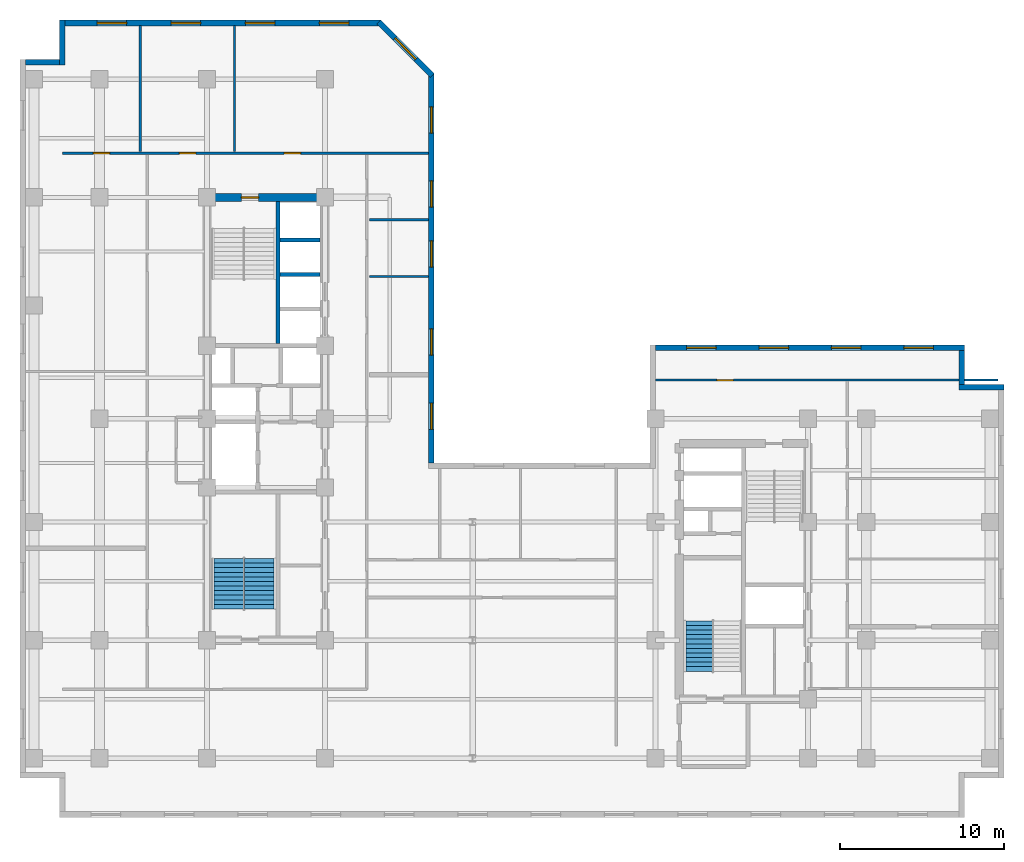
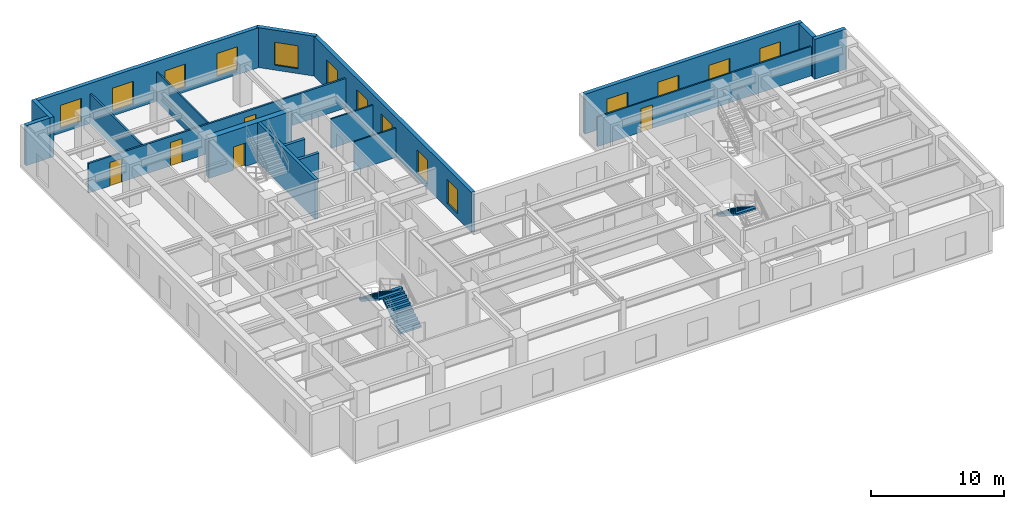
# One storey, part 6 of 10: 18 walls, 14 windows, 5 doors, 3 stair flights, 19 openings, 2 elements without a shape of their own.
"""IFC4 building model written with IfcOpenShell, lengths in metres."""

from ifc_helpers import new_model, entity, si_unit, converted_unit, direction, frame, origin_with_axes, origin_2d_with_axis, place, context, subcontext, project, spatial, polyline, rectangle, outline, extrude, material, layer, layer_set, type_object, element, fill, aggregate, save


model = new_model("IFC4")

# Units and contexts
model_context = context("Model", 3, precision=1e-05, world=origin_with_axes(), true_north=direction((0.0, 1.0)))
body_context = subcontext(model_context, "Body", "Model", "MODEL_VIEW")
ifc_project = project(units=[si_unit("LENGTHUNIT", "METRE"), si_unit("AREAUNIT", "SQUARE_METRE"), si_unit("VOLUMEUNIT", "CUBIC_METRE"), converted_unit("PLANEANGLEUNIT", "DEGREE", entity("IfcPlaneAngleMeasure", 0.017453292519943295), si_unit("PLANEANGLEUNIT", "RADIAN"), dimensions=[0, 0, 0, 0, 0, 0, 0]), si_unit("MASSUNIT", "GRAM", prefix="KILO"), si_unit("THERMODYNAMICTEMPERATUREUNIT", "KELVIN")], contexts=[model_context])

# Site, building, storey
site_placement = place(None, origin_with_axes())
site = spatial("IfcSite", under=ifc_project, at=site_placement, CompositionType="ELEMENT")
building_placement = place(site_placement, origin_with_axes())
building = spatial("IfcBuilding", under=site, at=building_placement, Name="Varnlund Millrace Tower", CompositionType="ELEMENT")
storey_placement = place(building_placement, frame((0.0, 0.0, 175.8), z_axis=(0.0, 0.0, 1.0), x_axis=(1.0, 0.0, 0.0)))
storey = spatial("IfcBuildingStorey", under=building, at=storey_placement, Name="L43", CompositionType="ELEMENT", Elevation=175.8)

# Wall, opening, door
ifc_material_1 = material(Name="Concrete C70/85", Category="concrete")
ifc_layer_1 = layer(ifc_material_1, 0.5, Name="Concrete C70/85")
ifc_layer_set_1 = layer_set([ifc_layer_1], Name="Concrete C70/85")
wall_type_1 = type_object("IfcWallType", Name="Type-CoreWall-Shear-500-C70", PredefinedType="SHEAR", material=ifc_layer_set_1)
wall_1_placement = place(storey_placement, frame((11.4, 37.8, 0.0), z_axis=(0.0, 0.0, 1.0), x_axis=(1.0, 0.0, 0.0)))
wall_1 = element("IfcWall", 1, at=wall_1_placement, inside=storey, type_object=wall_type_1, Name="Type-CoreWall-Shear-500-C70", PredefinedType="SHEAR", context=body_context, shape_type="SweptSolid", body=[
    extrude(outline(polyline([(0.0, -0.25), (7.2, -0.25), (7.2, 0.25), (0.0, 0.25), (0.0, -0.25)])), origin_with_axes(), (0.0, 0.0, 1.0), 3.66),
])
opening_1_placement = place(wall_1_placement, frame((2.625, 0.0, 0.0), z_axis=(0.0, 0.0, 1.0), x_axis=(1.0, 0.0, 0.0)))
opening_1 = element("IfcOpeningElement", 2, at=opening_1_placement, cuts=wall_1, Name="Opening L43:DR-STA2", PredefinedType="OPENING", context=body_context, shape_type="SweptSolid", body=[
    extrude(rectangle(XDim=1.05, YDim=0.52, at=origin_2d_with_axis()), origin_with_axes(), (0.0, 0.0, 1.0), 2.15),
])
ifc_material_2 = material(Name="Fire-rated hollow steel door", Category="steel")
door_type_1 = type_object("IfcDoorType", Name="Type-FireDoor-Stair-1050X2150", OperationType="NOTDEFINED", PredefinedType="DOOR", material=ifc_material_2)
door_1_placement = place(wall_1_placement, frame((2.625, 0.0, 0.0), z_axis=(0.0, 0.0, 1.0), x_axis=(1.0, 0.0, 0.0)))
door_1 = element("IfcDoor", 3, at=door_1_placement, inside=storey, type_object=door_type_1, Name="Type-FireDoor-Stair-1050X2150", OperationType="SINGLE_SWING_RIGHT", OverallHeight=2.15, OverallWidth=1.05, PredefinedType="DOOR", context=body_context, shape_type="SweptSolid", body=[
    extrude(rectangle(XDim=1.05, YDim=0.09, at=origin_2d_with_axis()), origin_with_axes(), (0.0, 0.0, 1.0), 2.15),
])
fill(opening_1, door_1)

# Wall, openings, windows
ifc_material_3 = material(Name="Precast concrete C50/60", Category="concrete")
ifc_layer_2 = layer(ifc_material_3, 0.34, Name="Precast concrete C50/60")
ifc_layer_set_2 = layer_set([ifc_layer_2], Name="Precast concrete C50/60")
wall_type_2 = type_object("IfcWallType", Name="Type-ExtWall-Precast-Upper-340", PredefinedType="SOLIDWALL", material=ifc_layer_set_2)
wall_2_placement = place(storey_placement, frame((38.74, 28.63, 0.0), z_axis=(0.0, 0.0, 1.0), x_axis=(1.0, 0.0, 0.0)))
wall_2 = element("IfcWall", 4, at=wall_2_placement, inside=storey, type_object=wall_type_2, Name="Type-ExtWall-Precast-Upper-340", PredefinedType="SOLIDWALL", context=body_context, shape_type="SweptSolid", body=[
    extrude(outline(polyline([(0.0, -0.17), (18.86, -0.17), (18.86, 0.17), (0.0, 0.17), (0.0, -0.17)])), origin_with_axes(), (0.0, 0.0, 1.0), 3.66),
])
opening_2_placement = place(wall_2_placement, frame((2.808, 0.0, 0.45), z_axis=(0.0, 0.0, 1.0), x_axis=(1.0, 0.0, 0.0)))
opening_2 = element("IfcOpeningElement", 5, at=opening_2_placement, cuts=wall_2, Name="Opening L43:WN-01", PredefinedType="OPENING", context=body_context, shape_type="SweptSolid", body=[
    extrude(rectangle(XDim=1.8, YDim=0.36, at=origin_2d_with_axis()), origin_with_axes(), (0.0, 0.0, 1.0), 2.1),
])
opening_3_placement = place(wall_2_placement, frame((7.222, 0.0, 0.45), z_axis=(0.0, 0.0, 1.0), x_axis=(1.0, 0.0, 0.0)))
opening_3 = element("IfcOpeningElement", 6, at=opening_3_placement, cuts=wall_2, Name="Opening L43:WN-02", PredefinedType="OPENING", context=body_context, shape_type="SweptSolid", body=[
    extrude(rectangle(XDim=1.8, YDim=0.36, at=origin_2d_with_axis()), origin_with_axes(), (0.0, 0.0, 1.0), 2.1),
])
opening_4_placement = place(wall_2_placement, frame((11.637, 0.0, 0.45), z_axis=(0.0, 0.0, 1.0), x_axis=(1.0, 0.0, 0.0)))
opening_4 = element("IfcOpeningElement", 7, at=opening_4_placement, cuts=wall_2, Name="Opening L43:WN-03", PredefinedType="OPENING", context=body_context, shape_type="SweptSolid", body=[
    extrude(rectangle(XDim=1.8, YDim=0.36, at=origin_2d_with_axis()), origin_with_axes(), (0.0, 0.0, 1.0), 2.1),
])
opening_5_placement = place(wall_2_placement, frame((16.053, 0.0, 0.45), z_axis=(0.0, 0.0, 1.0), x_axis=(1.0, 0.0, 0.0)))
opening_5 = element("IfcOpeningElement", 8, at=opening_5_placement, cuts=wall_2, Name="Opening L43:WN-04", PredefinedType="OPENING", context=body_context, shape_type="SweptSolid", body=[
    extrude(rectangle(XDim=1.8, YDim=0.36, at=origin_2d_with_axis()), origin_with_axes(), (0.0, 0.0, 1.0), 2.1),
])
ifc_material_4 = material(Name="Argon low-e triple glazing in thermally broken bronze frame", Category="glass")
window_type_1 = type_object("IfcWindowType", Name="Type-Window-Punched-1800X2100", PartitioningType="SINGLE_PANEL", PredefinedType="WINDOW", material=ifc_material_4)
window_1_placement = place(wall_2_placement, frame((2.808, 0.0, 0.45), z_axis=(0.0, 0.0, 1.0), x_axis=(1.0, 0.0, 0.0)))
window_1 = element("IfcWindow", 9, at=window_1_placement, inside=storey, type_object=window_type_1, Name="Type-Window-Punched-1800X2100", OverallHeight=2.1, OverallWidth=1.8, PredefinedType="WINDOW", context=body_context, shape_type="SweptSolid", body=[
    extrude(rectangle(XDim=1.8, YDim=0.09, at=origin_2d_with_axis()), origin_with_axes(), (0.0, 0.0, 1.0), 2.1),
])
fill(opening_2, window_1)
window_2_placement = place(wall_2_placement, frame((7.222, 0.0, 0.45), z_axis=(0.0, 0.0, 1.0), x_axis=(1.0, 0.0, 0.0)))
window_2 = element("IfcWindow", 10, at=window_2_placement, inside=storey, type_object=window_type_1, Name="Type-Window-Punched-1800X2100", OverallHeight=2.1, OverallWidth=1.8, PredefinedType="WINDOW", context=body_context, shape_type="SweptSolid", body=[
    extrude(rectangle(XDim=1.8, YDim=0.09, at=origin_2d_with_axis()), origin_with_axes(), (0.0, 0.0, 1.0), 2.1),
])
fill(opening_3, window_2)
window_3_placement = place(wall_2_placement, frame((11.637, 0.0, 0.45), z_axis=(0.0, 0.0, 1.0), x_axis=(1.0, 0.0, 0.0)))
window_3 = element("IfcWindow", 11, at=window_3_placement, inside=storey, type_object=window_type_1, Name="Type-Window-Punched-1800X2100", OverallHeight=2.1, OverallWidth=1.8, PredefinedType="WINDOW", context=body_context, shape_type="SweptSolid", body=[
    extrude(rectangle(XDim=1.8, YDim=0.09, at=origin_2d_with_axis()), origin_with_axes(), (0.0, 0.0, 1.0), 2.1),
])
fill(opening_4, window_3)
window_4_placement = place(wall_2_placement, frame((16.053, 0.0, 0.45), z_axis=(0.0, 0.0, 1.0), x_axis=(1.0, 0.0, 0.0)))
window_4 = element("IfcWindow", 12, at=window_4_placement, inside=storey, type_object=window_type_1, Name="Type-Window-Punched-1800X2100", OverallHeight=2.1, OverallWidth=1.8, PredefinedType="WINDOW", context=body_context, shape_type="SweptSolid", body=[
    extrude(rectangle(XDim=1.8, YDim=0.09, at=origin_2d_with_axis()), origin_with_axes(), (0.0, 0.0, 1.0), 2.1),
])
fill(opening_5, window_4)

# Walls
wall_3_placement = place(storey_placement, frame((57.43, 28.46, 0.0), z_axis=(0.0, 0.0, 1.0), x_axis=(0.0, -1.0, 0.0)))
element("IfcWall", 13, at=wall_3_placement, inside=storey, type_object=wall_type_2, Name="Type-ExtWall-Precast-Upper-340", PredefinedType="SOLIDWALL", context=body_context, shape_type="SweptSolid", body=[
    extrude(outline(polyline([(0.0, -0.17), (2.06, -0.17), (2.06, 0.17), (0.0, 0.17), (0.0, -0.17)])), origin_with_axes(), (0.0, 0.0, 1.0), 3.66),
])
wall_4_placement = place(storey_placement, frame((57.26, 26.23, 0.0), z_axis=(0.0, 0.0, 1.0), x_axis=(1.0, 0.0, 0.0)))
element("IfcWall", 14, at=wall_4_placement, inside=storey, type_object=wall_type_2, Name="Type-ExtWall-Precast-Upper-340", PredefinedType="SOLIDWALL", context=body_context, shape_type="SweptSolid", body=[
    extrude(outline(polyline([(0.0, -0.17), (2.74, -0.17), (2.74, 0.17), (0.0, 0.17), (0.0, -0.17)])), origin_with_axes(), (0.0, 0.0, 1.0), 3.66),
])
wall_5_placement = place(storey_placement, frame((0.34, 46.03, 0.0), z_axis=(0.0, 0.0, 1.0), x_axis=(1.0, 0.0, 0.0)))
element("IfcWall", 15, at=wall_5_placement, inside=storey, type_object=wall_type_2, Name="Type-ExtWall-Precast-Upper-340", PredefinedType="SOLIDWALL", context=body_context, shape_type="SweptSolid", body=[
    extrude(outline(polyline([(0.0, -0.17), (2.06, -0.17), (2.06, 0.17), (0.0, 0.17), (0.0, -0.17)])), origin_with_axes(), (0.0, 0.0, 1.0), 3.66),
])
wall_6_placement = place(storey_placement, frame((2.57, 45.86, 0.0), z_axis=(0.0, 0.0, 1.0), x_axis=(0.0, 1.0, 0.0)))
element("IfcWall", 16, at=wall_6_placement, inside=storey, type_object=wall_type_2, Name="Type-ExtWall-Precast-Upper-340", PredefinedType="SOLIDWALL", context=body_context, shape_type="SweptSolid", body=[
    extrude(outline(polyline([(0.0, -0.17), (2.74, -0.17), (2.74, 0.17), (0.0, 0.17), (0.0, -0.17)])), origin_with_axes(), (0.0, 0.0, 1.0), 3.66),
])

# Wall, openings, windows
wall_7_placement = place(storey_placement, frame((2.74, 48.43, 0.0), z_axis=(0.0, 0.0, 1.0), x_axis=(1.0, 0.0, 0.0)))
wall_7 = element("IfcWall", 17, at=wall_7_placement, inside=storey, type_object=wall_type_2, Name="Type-ExtWall-Precast-Upper-340", PredefinedType="SOLIDWALL", context=body_context, shape_type="SweptSolid", body=[
    extrude(outline(polyline([(0.0, -0.17), (19.273, -0.17), (19.273, 0.17), (0.0, 0.17), (0.0, -0.17)])), origin_with_axes(), (0.0, 0.0, 1.0), 3.66),
])
opening_6_placement = place(wall_7_placement, frame((2.859, 0.0, 0.45), z_axis=(0.0, 0.0, 1.0), x_axis=(1.0, 0.0, 0.0)))
opening_6 = element("IfcOpeningElement", 18, at=opening_6_placement, cuts=wall_7, Name="Opening L43:WN-27", PredefinedType="OPENING", context=body_context, shape_type="SweptSolid", body=[
    extrude(rectangle(XDim=1.8, YDim=0.36, at=origin_2d_with_axis()), origin_with_axes(), (0.0, 0.0, 1.0), 2.1),
])
opening_7_placement = place(wall_7_placement, frame((7.377, 0.0, 0.45), z_axis=(0.0, 0.0, 1.0), x_axis=(1.0, 0.0, 0.0)))
opening_7 = element("IfcOpeningElement", 19, at=opening_7_placement, cuts=wall_7, Name="Opening L43:WN-28", PredefinedType="OPENING", context=body_context, shape_type="SweptSolid", body=[
    extrude(rectangle(XDim=1.8, YDim=0.36, at=origin_2d_with_axis()), origin_with_axes(), (0.0, 0.0, 1.0), 2.1),
])
opening_8_placement = place(wall_7_placement, frame((11.896, 0.0, 0.45), z_axis=(0.0, 0.0, 1.0), x_axis=(1.0, 0.0, 0.0)))
opening_8 = element("IfcOpeningElement", 20, at=opening_8_placement, cuts=wall_7, Name="Opening L43:WN-29", PredefinedType="OPENING", context=body_context, shape_type="SweptSolid", body=[
    extrude(rectangle(XDim=1.8, YDim=0.36, at=origin_2d_with_axis()), origin_with_axes(), (0.0, 0.0, 1.0), 2.1),
])
opening_9_placement = place(wall_7_placement, frame((16.414, 0.0, 0.45), z_axis=(0.0, 0.0, 1.0), x_axis=(1.0, 0.0, 0.0)))
opening_9 = element("IfcOpeningElement", 21, at=opening_9_placement, cuts=wall_7, Name="Opening L43:WN-30", PredefinedType="OPENING", context=body_context, shape_type="SweptSolid", body=[
    extrude(rectangle(XDim=1.8, YDim=0.36, at=origin_2d_with_axis()), origin_with_axes(), (0.0, 0.0, 1.0), 2.1),
])
window_5_placement = place(wall_7_placement, frame((2.859, 0.0, 0.45), z_axis=(0.0, 0.0, 1.0), x_axis=(1.0, 0.0, 0.0)))
window_5 = element("IfcWindow", 22, at=window_5_placement, inside=storey, type_object=window_type_1, Name="Type-Window-Punched-1800X2100", OverallHeight=2.1, OverallWidth=1.8, PredefinedType="WINDOW", context=body_context, shape_type="SweptSolid", body=[
    extrude(rectangle(XDim=1.8, YDim=0.09, at=origin_2d_with_axis()), origin_with_axes(), (0.0, 0.0, 1.0), 2.1),
])
fill(opening_6, window_5)
window_6_placement = place(wall_7_placement, frame((7.377, 0.0, 0.45), z_axis=(0.0, 0.0, 1.0), x_axis=(1.0, 0.0, 0.0)))
window_6 = element("IfcWindow", 23, at=window_6_placement, inside=storey, type_object=window_type_1, Name="Type-Window-Punched-1800X2100", OverallHeight=2.1, OverallWidth=1.8, PredefinedType="WINDOW", context=body_context, shape_type="SweptSolid", body=[
    extrude(rectangle(XDim=1.8, YDim=0.09, at=origin_2d_with_axis()), origin_with_axes(), (0.0, 0.0, 1.0), 2.1),
])
fill(opening_7, window_6)
window_7_placement = place(wall_7_placement, frame((11.896, 0.0, 0.45), z_axis=(0.0, 0.0, 1.0), x_axis=(1.0, 0.0, 0.0)))
window_7 = element("IfcWindow", 24, at=window_7_placement, inside=storey, type_object=window_type_1, Name="Type-Window-Punched-1800X2100", OverallHeight=2.1, OverallWidth=1.8, PredefinedType="WINDOW", context=body_context, shape_type="SweptSolid", body=[
    extrude(rectangle(XDim=1.8, YDim=0.09, at=origin_2d_with_axis()), origin_with_axes(), (0.0, 0.0, 1.0), 2.1),
])
fill(opening_8, window_7)
window_8_placement = place(wall_7_placement, frame((16.414, 0.0, 0.45), z_axis=(0.0, 0.0, 1.0), x_axis=(1.0, 0.0, 0.0)))
window_8 = element("IfcWindow", 25, at=window_8_placement, inside=storey, type_object=window_type_1, Name="Type-Window-Punched-1800X2100", OverallHeight=2.1, OverallWidth=1.8, PredefinedType="WINDOW", context=body_context, shape_type="SweptSolid", body=[
    extrude(rectangle(XDim=1.8, YDim=0.09, at=origin_2d_with_axis()), origin_with_axes(), (0.0, 0.0, 1.0), 2.1),
])
fill(opening_9, window_8)

# Wall, opening, window
wall_8_placement = place(storey_placement, frame((21.879, 48.494, 0.0), z_axis=(0.0, 0.0, 1.0), x_axis=(0.707107, -0.707107, 0.0)))
wall_8 = element("IfcWall", 26, at=wall_8_placement, inside=storey, type_object=wall_type_2, Name="Type-ExtWall-Precast-Upper-340", PredefinedType="SOLIDWALL", context=body_context, shape_type="SweptSolid", body=[
    extrude(outline(polyline([(0.0, -0.17), (4.601851, -0.17), (4.601851, 0.17), (0.0, 0.17), (0.0, -0.17)])), origin_with_axes(), (0.0, 0.0, 1.0), 3.66),
])
opening_10_placement = place(wall_8_placement, frame((2.301, 0.0, 0.45), z_axis=(0.0, 0.0, 1.0), x_axis=(1.0, 0.0, 0.0)))
opening_10 = element("IfcOpeningElement", 27, at=opening_10_placement, cuts=wall_8, Name="Opening L43:WN-31", PredefinedType="OPENING", context=body_context, shape_type="SweptSolid", body=[
    extrude(rectangle(XDim=1.8, YDim=0.36, at=origin_2d_with_axis()), origin_with_axes(), (0.0, 0.0, 1.0), 2.1),
])
window_9_placement = place(wall_8_placement, frame((2.301, 0.0, 0.45), z_axis=(0.0, 0.0, 1.0), x_axis=(1.0, 0.0, 0.0)))
window_9 = element("IfcWindow", 28, at=window_9_placement, inside=storey, type_object=window_type_1, Name="Type-Window-Punched-1800X2100", OverallHeight=2.1, OverallWidth=1.8, PredefinedType="WINDOW", context=body_context, shape_type="SweptSolid", body=[
    extrude(rectangle(XDim=1.8, YDim=0.09, at=origin_2d_with_axis()), origin_with_axes(), (0.0, 0.0, 1.0), 2.1),
])
fill(opening_10, window_9)

# Wall, openings, windows
wall_9_placement = place(storey_placement, frame((25.083, 45.38, 0.0), z_axis=(0.0, 0.0, 1.0), x_axis=(0.0, -1.0, 0.0)))
wall_9 = element("IfcWall", 29, at=wall_9_placement, inside=storey, type_object=wall_type_2, Name="Type-ExtWall-Precast-Upper-340", PredefinedType="SOLIDWALL", context=body_context, shape_type="SweptSolid", body=[
    extrude(outline(polyline([(0.0, -0.17), (23.78, -0.17), (23.78, 0.17), (0.0, 0.17), (0.0, -0.17)])), origin_with_axes(), (0.0, 0.0, 1.0), 3.66),
])
opening_11_placement = place(wall_9_placement, frame((2.858, 0.0, 0.45), z_axis=(0.0, 0.0, 1.0), x_axis=(1.0, 0.0, 0.0)))
opening_11 = element("IfcOpeningElement", 30, at=opening_11_placement, cuts=wall_9, Name="Opening L43:WN-32", PredefinedType="OPENING", context=body_context, shape_type="SweptSolid", body=[
    extrude(rectangle(XDim=1.6, YDim=0.36, at=origin_2d_with_axis()), origin_with_axes(), (0.0, 0.0, 1.0), 2.2),
])
opening_12_placement = place(wall_9_placement, frame((7.374, 0.0, 0.45), z_axis=(0.0, 0.0, 1.0), x_axis=(1.0, 0.0, 0.0)))
opening_12 = element("IfcOpeningElement", 31, at=opening_12_placement, cuts=wall_9, Name="Opening L43:WN-33", PredefinedType="OPENING", context=body_context, shape_type="SweptSolid", body=[
    extrude(rectangle(XDim=1.6, YDim=0.36, at=origin_2d_with_axis()), origin_with_axes(), (0.0, 0.0, 1.0), 2.2),
])
opening_13_placement = place(wall_9_placement, frame((11.04, 0.0, 0.45), z_axis=(0.0, 0.0, 1.0), x_axis=(1.0, 0.0, 0.0)))
opening_13 = element("IfcOpeningElement", 32, at=opening_13_placement, cuts=wall_9, Name="Opening L43:WN-34", PredefinedType="OPENING", context=body_context, shape_type="SweptSolid", body=[
    extrude(rectangle(XDim=1.6, YDim=0.36, at=origin_2d_with_axis()), origin_with_axes(), (0.0, 0.0, 1.0), 2.2),
])
opening_14_placement = place(wall_9_placement, frame((16.406, 0.0, 0.45), z_axis=(0.0, 0.0, 1.0), x_axis=(1.0, 0.0, 0.0)))
opening_14 = element("IfcOpeningElement", 33, at=opening_14_placement, cuts=wall_9, Name="Opening L43:WN-35", PredefinedType="OPENING", context=body_context, shape_type="SweptSolid", body=[
    extrude(rectangle(XDim=1.6, YDim=0.36, at=origin_2d_with_axis()), origin_with_axes(), (0.0, 0.0, 1.0), 2.2),
])
opening_15_placement = place(wall_9_placement, frame((20.922, 0.0, 0.45), z_axis=(0.0, 0.0, 1.0), x_axis=(1.0, 0.0, 0.0)))
opening_15 = element("IfcOpeningElement", 34, at=opening_15_placement, cuts=wall_9, Name="Opening L43:WN-36", PredefinedType="OPENING", context=body_context, shape_type="SweptSolid", body=[
    extrude(rectangle(XDim=1.6, YDim=0.36, at=origin_2d_with_axis()), origin_with_axes(), (0.0, 0.0, 1.0), 2.2),
])
window_type_2 = type_object("IfcWindowType", Name="Type-Window-Slot-1600X2200", PartitioningType="SINGLE_PANEL", PredefinedType="WINDOW", material=ifc_material_4)
window_10_placement = place(wall_9_placement, frame((2.858, 0.0, 0.45), z_axis=(0.0, 0.0, 1.0), x_axis=(1.0, 0.0, 0.0)))
window_10 = element("IfcWindow", 35, at=window_10_placement, inside=storey, type_object=window_type_2, Name="Type-Window-Slot-1600X2200", OverallHeight=2.2, OverallWidth=1.6, PredefinedType="WINDOW", context=body_context, shape_type="SweptSolid", body=[
    extrude(rectangle(XDim=1.6, YDim=0.09, at=origin_2d_with_axis()), origin_with_axes(), (0.0, 0.0, 1.0), 2.2),
])
fill(opening_11, window_10)
window_11_placement = place(wall_9_placement, frame((7.374, 0.0, 0.45), z_axis=(0.0, 0.0, 1.0), x_axis=(1.0, 0.0, 0.0)))
window_11 = element("IfcWindow", 36, at=window_11_placement, inside=storey, type_object=window_type_2, Name="Type-Window-Slot-1600X2200", OverallHeight=2.2, OverallWidth=1.6, PredefinedType="WINDOW", context=body_context, shape_type="SweptSolid", body=[
    extrude(rectangle(XDim=1.6, YDim=0.09, at=origin_2d_with_axis()), origin_with_axes(), (0.0, 0.0, 1.0), 2.2),
])
fill(opening_12, window_11)
window_12_placement = place(wall_9_placement, frame((11.04, 0.0, 0.45), z_axis=(0.0, 0.0, 1.0), x_axis=(1.0, 0.0, 0.0)))
window_12 = element("IfcWindow", 37, at=window_12_placement, inside=storey, type_object=window_type_2, Name="Type-Window-Slot-1600X2200", OverallHeight=2.2, OverallWidth=1.6, PredefinedType="WINDOW", context=body_context, shape_type="SweptSolid", body=[
    extrude(rectangle(XDim=1.6, YDim=0.09, at=origin_2d_with_axis()), origin_with_axes(), (0.0, 0.0, 1.0), 2.2),
])
fill(opening_13, window_12)
window_13_placement = place(wall_9_placement, frame((16.406, 0.0, 0.45), z_axis=(0.0, 0.0, 1.0), x_axis=(1.0, 0.0, 0.0)))
window_13 = element("IfcWindow", 38, at=window_13_placement, inside=storey, type_object=window_type_2, Name="Type-Window-Slot-1600X2200", OverallHeight=2.2, OverallWidth=1.6, PredefinedType="WINDOW", context=body_context, shape_type="SweptSolid", body=[
    extrude(rectangle(XDim=1.6, YDim=0.09, at=origin_2d_with_axis()), origin_with_axes(), (0.0, 0.0, 1.0), 2.2),
])
fill(opening_14, window_13)
window_14_placement = place(wall_9_placement, frame((20.922, 0.0, 0.45), z_axis=(0.0, 0.0, 1.0), x_axis=(1.0, 0.0, 0.0)))
window_14 = element("IfcWindow", 39, at=window_14_placement, inside=storey, type_object=window_type_2, Name="Type-Window-Slot-1600X2200", OverallHeight=2.2, OverallWidth=1.6, PredefinedType="WINDOW", context=body_context, shape_type="SweptSolid", body=[
    extrude(rectangle(XDim=1.6, YDim=0.09, at=origin_2d_with_axis()), origin_with_axes(), (0.0, 0.0, 1.0), 2.2),
])
fill(opening_15, window_14)

# Wall, openings, doors
ifc_material_5 = material(Name="Fire-rated gypsum board on cold-formed steel framing", Category="steel")
ifc_layer_3 = layer(ifc_material_5, 0.16, Name="Fire-rated gypsum board on cold-formed steel framing")
ifc_layer_set_3 = layer_set([ifc_layer_3], Name="Fire-rated gypsum board on cold-formed steel framing")
wall_type_3 = type_object("IfcWallType", Name="Type-Partition-Corridor-160", PredefinedType="PARTITIONING", material=ifc_layer_set_3)
wall_10_placement = place(storey_placement, frame((2.6, 40.5, 0.0), z_axis=(0.0, 0.0, 1.0), x_axis=(1.0, 0.0, 0.0)))
wall_10 = element("IfcWall", 40, at=wall_10_placement, inside=storey, type_object=wall_type_3, Name="Type-Partition-Corridor-160", PredefinedType="PARTITIONING", context=body_context, shape_type="SweptSolid", body=[
    extrude(outline(polyline([(0.0, -0.08), (22.318, -0.08), (22.318, 0.08), (0.0, 0.08), (0.0, -0.08)])), origin_with_axes(), (0.0, 0.0, 1.0), 2.7),
])
opening_16_placement = place(wall_10_placement, frame((2.368, 0.0, 0.0), z_axis=(0.0, 0.0, 1.0), x_axis=(1.0, 0.0, 0.0)))
opening_16 = element("IfcOpeningElement", 41, at=opening_16_placement, cuts=wall_10, Name="Opening L43:DR-WAN-01", PredefinedType="OPENING", context=body_context, shape_type="SweptSolid", body=[
    extrude(rectangle(XDim=1.0, YDim=0.18, at=origin_2d_with_axis()), origin_with_axes(), (0.0, 0.0, 1.0), 2.15),
])
opening_17_placement = place(wall_10_placement, frame((7.617, 0.0, 0.0), z_axis=(0.0, 0.0, 1.0), x_axis=(1.0, 0.0, 0.0)))
opening_17 = element("IfcOpeningElement", 42, at=opening_17_placement, cuts=wall_10, Name="Opening L43:DR-WAN-02", PredefinedType="OPENING", context=body_context, shape_type="SweptSolid", body=[
    extrude(rectangle(XDim=1.0, YDim=0.18, at=origin_2d_with_axis()), origin_with_axes(), (0.0, 0.0, 1.0), 2.15),
])
opening_18_placement = place(wall_10_placement, frame((14.004, 0.0, 0.0), z_axis=(0.0, 0.0, 1.0), x_axis=(1.0, 0.0, 0.0)))
opening_18 = element("IfcOpeningElement", 43, at=opening_18_placement, cuts=wall_10, Name="Opening L43:DR-WAN-03", PredefinedType="OPENING", context=body_context, shape_type="SweptSolid", body=[
    extrude(rectangle(XDim=1.0, YDim=0.18, at=origin_2d_with_axis()), origin_with_axes(), (0.0, 0.0, 1.0), 2.15),
])
ifc_material_6 = material(Name="Solid-core white oak and bronze frame door")
door_type_2 = type_object("IfcDoorType", Name="Type-IntDoor-Office-1000X2150", OperationType="NOTDEFINED", PredefinedType="DOOR", material=ifc_material_6)
door_2_placement = place(wall_10_placement, frame((2.368, 0.0, 0.0), z_axis=(0.0, 0.0, 1.0), x_axis=(1.0, 0.0, 0.0)))
door_2 = element("IfcDoor", 44, at=door_2_placement, inside=storey, type_object=door_type_2, Name="Type-IntDoor-Office-1000X2150", OperationType="SINGLE_SWING_LEFT", OverallHeight=2.15, OverallWidth=1.0, PredefinedType="DOOR", context=body_context, shape_type="SweptSolid", body=[
    extrude(rectangle(XDim=1.0, YDim=0.09, at=origin_2d_with_axis()), origin_with_axes(), (0.0, 0.0, 1.0), 2.15),
])
fill(opening_16, door_2)
door_3_placement = place(wall_10_placement, frame((7.617, 0.0, 0.0), z_axis=(0.0, 0.0, 1.0), x_axis=(1.0, 0.0, 0.0)))
door_3 = element("IfcDoor", 45, at=door_3_placement, inside=storey, type_object=door_type_2, Name="Type-IntDoor-Office-1000X2150", OperationType="SINGLE_SWING_RIGHT", OverallHeight=2.15, OverallWidth=1.0, PredefinedType="DOOR", context=body_context, shape_type="SweptSolid", body=[
    extrude(rectangle(XDim=1.0, YDim=0.09, at=origin_2d_with_axis()), origin_with_axes(), (0.0, 0.0, 1.0), 2.15),
])
fill(opening_17, door_3)
door_4_placement = place(wall_10_placement, frame((14.004, 0.0, 0.0), z_axis=(0.0, 0.0, 1.0), x_axis=(1.0, 0.0, 0.0)))
door_4 = element("IfcDoor", 46, at=door_4_placement, inside=storey, type_object=door_type_2, Name="Type-IntDoor-Office-1000X2150", OperationType="SINGLE_SWING_LEFT", OverallHeight=2.15, OverallWidth=1.0, PredefinedType="DOOR", context=body_context, shape_type="SweptSolid", body=[
    extrude(rectangle(XDim=1.0, YDim=0.09, at=origin_2d_with_axis()), origin_with_axes(), (0.0, 0.0, 1.0), 2.15),
])
fill(opening_18, door_4)

# Walls
ifc_material_7 = material(Name="Acoustic STC-50 gypsum board partition", Category="gypsum")
ifc_layer_4 = layer(ifc_material_7, 0.15, Name="Acoustic STC-50 gypsum board partition")
ifc_layer_set_4 = layer_set([ifc_layer_4], Name="Acoustic STC-50 gypsum board partition")
wall_type_4 = type_object("IfcWallType", Name="Type-Partition-Demising-150", PredefinedType="PARTITIONING", material=ifc_layer_set_4)
wall_11_placement = place(storey_placement, frame((7.346, 40.6, 0.0), z_axis=(0.0, 0.0, 1.0), x_axis=(0.0, 1.0, 0.0)))
element("IfcWall", 47, at=wall_11_placement, inside=storey, type_object=wall_type_4, Name="Type-Partition-Demising-150", PredefinedType="PARTITIONING", context=body_context, shape_type="SweptSolid", body=[
    extrude(outline(polyline([(0.0, -0.075), (7.665, -0.075), (7.665, 0.075), (0.0, 0.075), (0.0, -0.075)])), origin_with_axes(), (0.0, 0.0, 1.0), 2.7),
])
ifc_material_8 = material(Name="Gypsum board tenant partition", Category="gypsum")
ifc_layer_5 = layer(ifc_material_8, 0.125, Name="Gypsum board tenant partition")
ifc_layer_set_5 = layer_set([ifc_layer_5], Name="Gypsum board tenant partition")
wall_type_5 = type_object("IfcWallType", Name="Type-Partition-Tenant-125", PredefinedType="PARTITIONING", material=ifc_layer_set_5)
wall_12_placement = place(storey_placement, frame((13.088, 40.6, 0.0), z_axis=(0.0, 0.0, 1.0), x_axis=(0.0, 1.0, 0.0)))
element("IfcWall", 48, at=wall_12_placement, inside=storey, type_object=wall_type_5, Name="Type-Partition-Tenant-125", PredefinedType="PARTITIONING", context=body_context, shape_type="SweptSolid", body=[
    extrude(outline(polyline([(0.0, -0.0625), (7.665, -0.0625), (7.665, 0.0625), (0.0, 0.0625), (0.0, -0.0625)])), origin_with_axes(), (0.0, 0.0, 1.0), 2.7),
])
for number, where, z_axis, x_axis, name in (
    (49, (21.3, 32.986, 0.0), (0.0, 0.0, 1.0), (1.0, 0.0, 0.0), "Type-Partition-Tenant-125"),
    (50, (21.3, 36.433, 0.0), (0.0, 0.0, 1.0), (1.0, 0.0, 0.0), "Type-Partition-Tenant-125"),
):
    element("IfcWall", number, at=place(storey_placement, frame(where, z_axis=z_axis, x_axis=x_axis)), inside=storey, type_object=wall_type_5, Name=name, PredefinedType="PARTITIONING", context=body_context, shape_type="SweptSolid", body=[
        extrude(outline(polyline([(0.0, -0.0625), (3.618, -0.0625), (3.618, 0.0625), (0.0, 0.0625), (0.0, -0.0625)])), origin_with_axes(), (0.0, 0.0, 1.0), 2.7),
    ])

# Wall, opening, door
wall_13_placement = place(storey_placement, frame((38.735, 26.65, 0.0), z_axis=(0.0, 0.0, 1.0), x_axis=(1.0, 0.0, 0.0)))
wall_13 = element("IfcWall", 51, at=wall_13_placement, inside=storey, type_object=wall_type_5, Name="Type-Partition-Tenant-125", PredefinedType="PARTITIONING", context=body_context, shape_type="SweptSolid", body=[
    extrude(outline(polyline([(0.0, -0.0625), (20.905, -0.0625), (20.905, 0.0625), (0.0, 0.0625), (0.0, -0.0625)])), origin_with_axes(), (0.0, 0.0, 1.0), 2.7),
])
opening_19_placement = place(wall_13_placement, frame((4.265, 0.0, 0.0), z_axis=(0.0, 0.0, 1.0), x_axis=(1.0, 0.0, 0.0)))
opening_19 = element("IfcOpeningElement", 52, at=opening_19_placement, cuts=wall_13, Name="Opening L43:DR-WBN-01", PredefinedType="OPENING", context=body_context, shape_type="SweptSolid", body=[
    extrude(rectangle(XDim=1.0, YDim=0.145, at=origin_2d_with_axis()), origin_with_axes(), (0.0, 0.0, 1.0), 2.15),
])
door_5_placement = place(wall_13_placement, frame((4.265, 0.0, 0.0), z_axis=(0.0, 0.0, 1.0), x_axis=(1.0, 0.0, 0.0)))
door_5 = element("IfcDoor", 53, at=door_5_placement, inside=storey, type_object=door_type_2, Name="Type-IntDoor-Office-1000X2150", OperationType="SINGLE_SWING_RIGHT", OverallHeight=2.15, OverallWidth=1.0, PredefinedType="DOOR", context=body_context, shape_type="SweptSolid", body=[
    extrude(rectangle(XDim=1.0, YDim=0.075, at=origin_2d_with_axis()), origin_with_axes(), (0.0, 0.0, 1.0), 2.15),
])
fill(opening_19, door_5)

# Walls
ifc_material_9 = material(Name="Concrete C60/75", Category="concrete")
ifc_layer_6 = layer(ifc_material_9, 0.25, Name="Concrete C60/75")
ifc_layer_set_6 = layer_set([ifc_layer_6], Name="Concrete C60/75")
wall_type_6 = type_object("IfcWallType", Name="Type-ShaftWall-Fire-250", PredefinedType="SOLIDWALL", material=ifc_layer_set_6)
for number, where, z_axis, x_axis, name in (
    (54, (15.84, 33.1, 0.0), (0.0, 0.0, 1.0), (1.0, 0.0, 0.0), "Type-ShaftWall-Fire-250"),
    (55, (15.84, 35.2, 0.0), (0.0, 0.0, 1.0), (1.0, 0.0, 0.0), "Type-ShaftWall-Fire-250"),
):
    element("IfcWall", number, at=place(storey_placement, frame(where, z_axis=z_axis, x_axis=x_axis)), inside=storey, type_object=wall_type_6, Name=name, PredefinedType="SOLIDWALL", context=body_context, shape_type="SweptSolid", body=[
        extrude(outline(polyline([(0.0, -0.125), (2.46, -0.125), (2.46, 0.125), (0.0, 0.125), (0.0, -0.125)])), origin_with_axes(), (0.0, 0.0, 1.0), 2.7),
    ])
wall_type_7 = type_object("IfcWallType", Name="Type-StairWall-Shear-250", PredefinedType="SHEAR", material=ifc_layer_set_6)
wall_14_placement = place(storey_placement, frame((15.725, 28.9, 0.0), z_axis=(0.0, 0.0, 1.0), x_axis=(0.0, 1.0, 0.0)))
element("IfcWall", 56, at=wall_14_placement, inside=storey, type_object=wall_type_7, Name="Type-StairWall-Shear-250", PredefinedType="SHEAR", context=body_context, shape_type="SweptSolid", body=[
    extrude(outline(polyline([(0.0, -0.125), (8.65, -0.125), (8.65, 0.125), (0.0, 0.125), (0.0, -0.125)])), origin_with_axes(), (0.0, 0.0, 1.0), 3.66),
])

# Stair, stair flight
ifc_material_10 = material(Name="Concrete C50/60", Category="concrete")
stair_type_1 = type_object("IfcStairType", Name="Type-Stair-Dogleg-165-390", PredefinedType="HALF_TURN_STAIR", material=ifc_material_10)
stair_1_placement = place(storey_placement, origin_with_axes())
stair_1 = element("IfcStair", 57, at=stair_1_placement, inside=storey, type_object=stair_type_1, Name="Type-Stair-Dogleg-165-390", PredefinedType="HALF_TURN_STAIR")
stair_flight_type_1 = type_object("IfcStairFlightType", Name="Type-Dogleg-Run-165-390", PredefinedType="STRAIGHT", material=ifc_material_3)
stair_flight_1_placement = place(storey_placement, frame((42.275, 11.98, 1.95), z_axis=(-1.0, 0.0, 0.0), x_axis=(0.0, -1.0, 0.0)))
stair_flight_1 = element("IfcStairFlight", 58, at=stair_flight_1_placement, type_object=stair_flight_type_1, Name="ST-B1 flight 2", NumberOfRisers=11, NumberOfTreads=11, PredefinedType="STRAIGHT", RiserHeight=0.177273, TreadLength=0.28, context=body_context, shape_type="SweptSolid", body=[
    extrude(outline(polyline([(0.0, 0.0), (0.0, 0.177273), (0.28, 0.177273), (0.28, 0.354545), (0.56, 0.354545), (0.56, 0.531818), (0.84, 0.531818), (0.84, 0.709091), (1.12, 0.709091), (1.12, 0.886364), (1.4, 0.886364), (1.4, 1.063636), (1.68, 1.063636), (1.68, 1.240909), (1.96, 1.240909), (1.96, 1.418182), (2.24, 1.418182), (2.24, 1.595454), (2.52, 1.595454), (2.52, 1.772727), (2.8, 1.772727), (2.8, 1.95), (3.08, 1.95), (3.08, 1.8), (0.28, 0.0), (0.0, 0.0)])), origin_with_axes(), (0.0, 0.0, 1.0), 1.65),
])
aggregate(stair_1, [stair_flight_1])

# Stair, stair flights
stair_type_2 = type_object("IfcStairType", Name="Type-Stair-Dogleg-185-390", PredefinedType="HALF_TURN_STAIR", material=ifc_material_10)
stair_2_placement = place(storey_placement, origin_with_axes())
stair_2 = element("IfcStair", 59, at=stair_2_placement, inside=storey, type_object=stair_type_2, Name="Type-Stair-Dogleg-185-390", PredefinedType="HALF_TURN_STAIR")
stair_flight_type_2 = type_object("IfcStairFlightType", Name="Type-Dogleg-Run-185-390", PredefinedType="STRAIGHT", material=ifc_material_3)
stair_flight_2_placement = place(storey_placement, frame((13.625, 12.7, 0.0), z_axis=(1.0, 0.0, 0.0), x_axis=(0.0, 1.0, 0.0)))
stair_flight_2 = element("IfcStairFlight", 60, at=stair_flight_2_placement, type_object=stair_flight_type_2, Name="ST-A1 flight 1", NumberOfRisers=11, NumberOfTreads=11, PredefinedType="STRAIGHT", RiserHeight=0.177273, TreadLength=0.28, context=body_context, shape_type="SweptSolid", body=[
    extrude(outline(polyline([(0.0, 0.0), (0.0, 0.177273), (0.28, 0.177273), (0.28, 0.354545), (0.56, 0.354545), (0.56, 0.531818), (0.84, 0.531818), (0.84, 0.709091), (1.12, 0.709091), (1.12, 0.886364), (1.4, 0.886364), (1.4, 1.063636), (1.68, 1.063636), (1.68, 1.240909), (1.96, 1.240909), (1.96, 1.418182), (2.24, 1.418182), (2.24, 1.595454), (2.52, 1.595454), (2.52, 1.772727), (2.8, 1.772727), (2.8, 1.95), (3.08, 1.95), (3.08, 1.8), (0.28, 0.0), (0.0, 0.0)])), origin_with_axes(), (0.0, 0.0, 1.0), 1.85),
])
stair_flight_3_placement = place(storey_placement, frame((13.675, 15.78, 1.95), z_axis=(-1.0, 0.0, 0.0), x_axis=(0.0, -1.0, 0.0)))
stair_flight_3 = element("IfcStairFlight", 61, at=stair_flight_3_placement, type_object=stair_flight_type_2, Name="ST-A1 flight 2", NumberOfRisers=11, NumberOfTreads=11, PredefinedType="STRAIGHT", RiserHeight=0.177273, TreadLength=0.28, context=body_context, shape_type="SweptSolid", body=[
    extrude(outline(polyline([(0.0, 0.0), (0.0, 0.177273), (0.28, 0.177273), (0.28, 0.354545), (0.56, 0.354545), (0.56, 0.531818), (0.84, 0.531818), (0.84, 0.709091), (1.12, 0.709091), (1.12, 0.886364), (1.4, 0.886364), (1.4, 1.063636), (1.68, 1.063636), (1.68, 1.240909), (1.96, 1.240909), (1.96, 1.418182), (2.24, 1.418182), (2.24, 1.595454), (2.52, 1.595454), (2.52, 1.772727), (2.8, 1.772727), (2.8, 1.95), (3.08, 1.95), (3.08, 1.8), (0.28, 0.0), (0.0, 0.0)])), origin_with_axes(), (0.0, 0.0, 1.0), 1.85),
])
aggregate(stair_2, [stair_flight_2, stair_flight_3])

save(model, "model.ifc")
